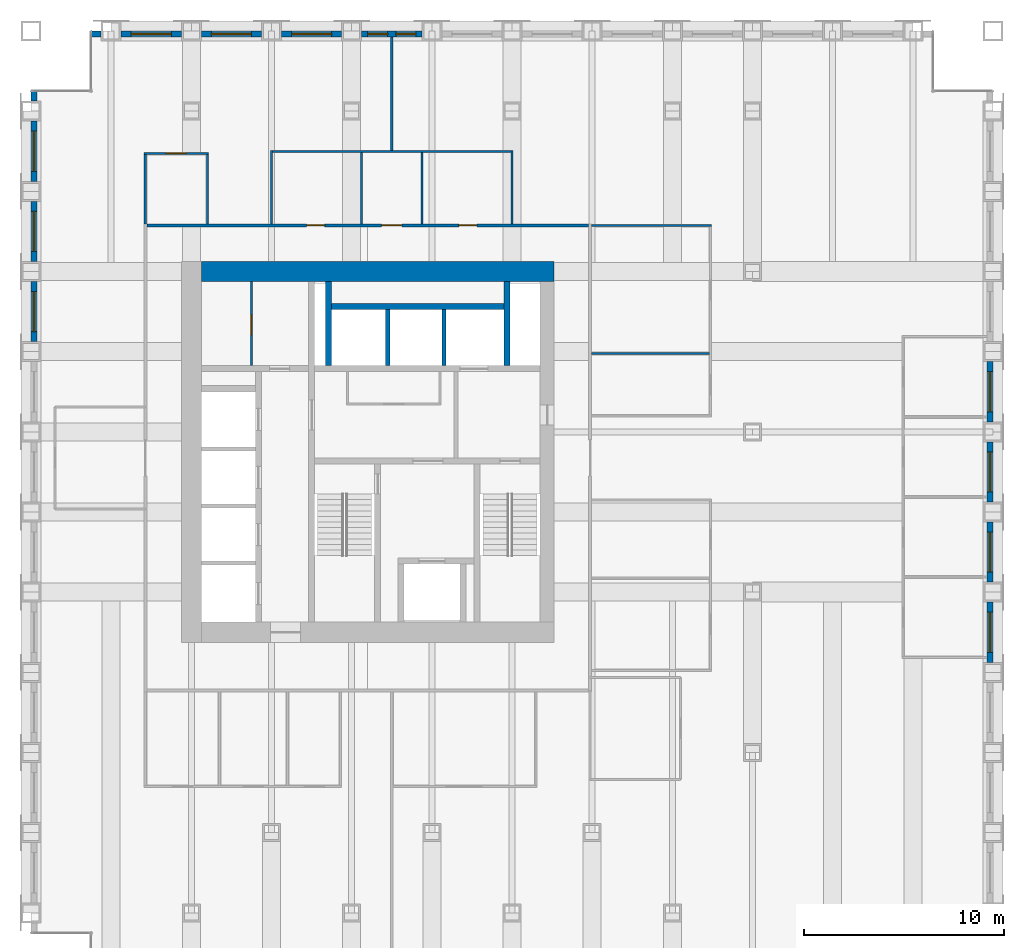
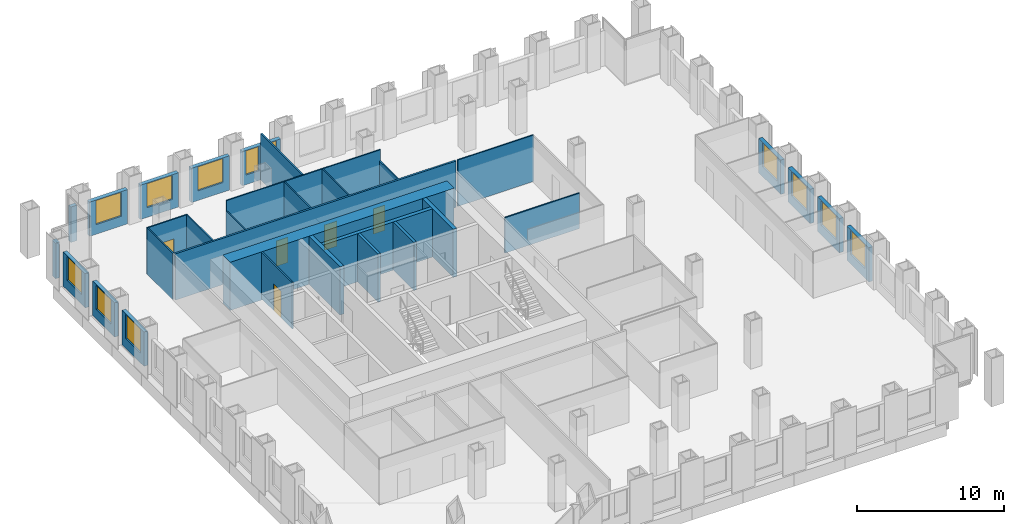
# One storey, part 13 of 16: 32 walls, 12 windows, 5 doors, 17 openings.
"""IFC4 building model written with IfcOpenShell, lengths in metres."""

from ifc_helpers import new_model, si_unit, direction, frame, frame_2d, origin, place, context, subcontext, project, spatial, rectangle, extrude, material, layer, layer_set, type_object, element, fill, save


model = new_model("IFC4")

# Units and contexts
model_context = context("Model", 3, precision=1e-05, world=origin(), true_north=direction((0.0, 1.0)))
body_context = subcontext(model_context, "Body", "Model", "MODEL_VIEW")
ifc_project = project(units=[si_unit("LENGTHUNIT", "METRE"), si_unit("AREAUNIT", "SQUARE_METRE"), si_unit("VOLUMEUNIT", "CUBIC_METRE"), si_unit("PLANEANGLEUNIT", "RADIAN"), si_unit("MASSUNIT", "GRAM", prefix="KILO")], contexts=[model_context])

# Site, building, storey
site_placement = place(None, origin())
site = spatial("IfcSite", under=ifc_project, at=site_placement, CompositionType="ELEMENT")
building_placement = place(site_placement, origin())
building = spatial("IfcBuilding", under=site, at=building_placement, Name="Rimbunsela Tower", CompositionType="ELEMENT")
storey_placement = place(building_placement, frame((0.0, 0.0, 89.39990234375)))
storey = spatial("IfcBuildingStorey", under=building, at=storey_placement, Name="L21", CompositionType="ELEMENT", Elevation=89.39990234375)

# Walls
ifc_material_1 = material(Name="Concrete fc' 80 MPa", Category="concrete")
ifc_layer_1 = layer(ifc_material_1, 0.300048828125)
ifc_layer_set_1 = layer_set([ifc_layer_1], Name="Core internal wall 300")
wall_type_1 = type_object("IfcWallType", Name="Core internal wall 300", PredefinedType="SHEAR", material=ifc_layer_set_1)
for number, where, z_axis, x_axis, name in (
    (1, (24.85009765625, 31.300048828125, -0.14990234375), (0.0, 0.0, 1.0), (0.0, 1.0, 0.0), "Riser wall"),
    (2, (33.75, 31.300048828125, -0.14990234375), (0.0, 0.0, 1.0), (0.0, 1.0, 0.0), "Riser wall"),
):
    element("IfcWall", number, at=place(storey_placement, frame(where, z_axis=z_axis, x_axis=x_axis)), inside=storey, type_object=wall_type_1, Name=name, PredefinedType="SHEAR", context=body_context, shape_type="SweptSolid", body=[
        extrude(rectangle(XDim=4.199951171875, YDim=0.300048828125, at=frame_2d((2.10009765625, 0.0))), origin(), (0.0, 0.0, 1.0), 4.0),
    ])
wall_1_placement = place(storey_placement, frame((25.0, 34.25, -0.14990234375), z_axis=(0.0, 0.0, 1.0), x_axis=(1.0, 0.0, 0.0)))
element("IfcWall", 3, at=wall_1_placement, inside=storey, type_object=wall_type_1, Name="Lift shaft rear north", PredefinedType="SHEAR", context=body_context, shape_type="SweptSolid", body=[
    extrude(rectangle(XDim=8.60009765625, YDim=0.300048828125, at=frame_2d((4.300048828125, 0.0))), origin(), (0.0, 0.0, 1.0), 4.0),
])

# Wall, opening, door
ifc_material_2 = material(Name="Concrete blockwork", Category="masonry")
ifc_layer_2 = layer(ifc_material_2, 0.10009765625)
ifc_layer_set_2 = layer_set([ifc_layer_2], Name="Core room partition 100")
wall_type_2 = type_object("IfcWallType", Name="Core room partition 100", PredefinedType="PARTITIONING", material=ifc_layer_set_2)
wall_2_placement = place(storey_placement, frame((21.0, 31.300048828125, 0.0), z_axis=(0.0, 0.0, 1.0), x_axis=(0.0, 1.0, 0.0)))
wall_2 = element("IfcWall", 4, at=wall_2_placement, inside=storey, type_object=wall_type_2, Name="Housekeeping store wall", PredefinedType="PARTITIONING", context=body_context, shape_type="SweptSolid", body=[
    extrude(rectangle(XDim=4.199951171875, YDim=0.10009765625, at=frame_2d((2.10009765625, 0.0))), origin(), (0.0, 0.0, 1.0), 3.85009765625),
])
opening_1_placement = place(wall_2_placement, frame((1.550048828125, 0.0, 0.0)))
opening_1 = element("IfcOpeningElement", 5, at=opening_1_placement, cuts=wall_2, Name="Opening D19", PredefinedType="OPENING", context=body_context, shape_type="SweptSolid", body=[
    extrude(rectangle(XDim=1.0, YDim=2.199951171875, at=frame_2d((0.5, 1.10009765625))), frame((0.0, 0.06005859375, 0.0), z_axis=(0.0, -1.0, 0.0), x_axis=(1.0, 0.0, 0.0)), (0.0, 0.0, 1.0), 0.1201171875),
])
ifc_material_3 = material(Name="Steel door, fire rated", Category="steel")
door_type_1 = type_object("IfcDoorType", Name="Service door 1000 fire rated", OperationType="SINGLE_SWING_LEFT", PredefinedType="DOOR", material=ifc_material_3)
door_1_placement = place(opening_1_placement, origin())
door_1 = element("IfcDoor", 6, at=door_1_placement, inside=storey, type_object=door_type_1, Name="Housekeeping store door", OperationType="SINGLE_SWING_LEFT", OverallHeight=2.199951171875, OverallWidth=1.0, PredefinedType="DOOR", context=body_context, shape_type="SweptSolid", body=[
    extrude(rectangle(XDim=1.0, YDim=2.199951171875, at=frame_2d((0.5, 1.10009765625))), frame((0.0, 0.02490234375, 0.0), z_axis=(0.0, -1.0, 0.0), x_axis=(1.0, 0.0, 0.0)), (0.0, 0.0, 1.0), 0.050048828125),
])
fill(opening_1, door_1)

# Walls
ifc_material_4 = material(Name="Concrete fc' 80 MPa", Category="concrete")
ifc_layer_3 = layer(ifc_material_4, 1.0)
ifc_layer_set_3 = layer_set([ifc_layer_3], Name="Core wall 1000")
wall_type_3 = type_object("IfcWallType", Name="Core wall 1000", PredefinedType="SHEAR", material=ifc_layer_set_3)
wall_3_placement = place(storey_placement, frame((18.5, 36.0, -0.14990234375), z_axis=(0.0, 0.0, 1.0), x_axis=(1.0, 0.0, 0.0)))
element("IfcWall", 7, at=wall_3_placement, inside=storey, type_object=wall_type_3, Name="Core wall north", PredefinedType="SHEAR", context=body_context, shape_type="SweptSolid", body=[
    extrude(rectangle(XDim=17.60009765625, YDim=1.0, at=frame_2d((8.800048828125, 0.0))), origin(), (0.0, 0.0, 1.0), 4.0),
])
ifc_material_5 = material(Name="Concrete blockwork", Category="masonry")
ifc_layer_4 = layer(ifc_material_5, 0.199951171875)
ifc_layer_set_4 = layer_set([ifc_layer_4], Name="Lift shaft wall 200")
wall_type_4 = type_object("IfcWallType", Name="Lift shaft wall 200", PredefinedType="SOLIDWALL", material=ifc_layer_set_4)
for number, where, z_axis, x_axis, name in (
    (8, (27.800048828125, 31.300048828125, -0.14990234375), (0.0, 0.0, 1.0), (0.0, 1.0, 0.0), "Lift shaft separation"),
    (9, (30.60009765625, 31.300048828125, -0.14990234375), (0.0, 0.0, 1.0), (0.0, 1.0, 0.0), "Lift shaft separation"),
):
    element("IfcWall", number, at=place(storey_placement, frame(where, z_axis=z_axis, x_axis=x_axis)), inside=storey, type_object=wall_type_4, Name=name, PredefinedType="SOLIDWALL", context=body_context, shape_type="SweptSolid", body=[
        extrude(rectangle(XDim=2.800048828125, YDim=0.199951171875, at=frame_2d((1.39990234375, 0.0))), origin(), (0.0, 0.0, 1.0), 4.0),
    ])
ifc_material_6 = material(Name="Gypsum board on steel studs", Category="steel")
ifc_layer_5 = layer(ifc_material_6, 0.10009765625)
ifc_layer_set_5 = layer_set([ifc_layer_5], Name="Office partition 100")
wall_type_5 = type_object("IfcWallType", Name="Office partition 100", PredefinedType="PARTITIONING", material=ifc_layer_set_5)
wall_4_placement = place(storey_placement, frame((37.97509765625, 31.89990234375, 0.0), z_axis=(0.0, 0.0, 1.0), x_axis=(1.0, 0.0, 0.0)))
element("IfcWall", 10, at=wall_4_placement, inside=storey, type_object=wall_type_5, Name="Office partition", PredefinedType="PARTITIONING", context=body_context, shape_type="SweptSolid", body=[
    extrude(rectangle(XDim=5.875, YDim=0.10009765625, at=frame_2d((2.9375, 0.0))), origin(), (0.0, 0.0, 1.0), 2.9501953125),
])
wall_5_placement = place(storey_placement, frame((37.97509765625, 38.300048828125, 0.0), z_axis=(0.0, 0.0, 1.0), x_axis=(1.0, 0.0, 0.0)))
element("IfcWall", 11, at=wall_5_placement, inside=storey, type_object=wall_type_5, Name="Office partition", PredefinedType="PARTITIONING", context=body_context, shape_type="SweptSolid", body=[
    extrude(rectangle(XDim=5.974853515625, YDim=0.10009765625, at=frame_2d((2.9873046875, 0.0))), origin(), (0.0, 0.0, 1.0), 3.85009765625),
])

# Wall, opening, door
wall_6_placement = place(storey_placement, frame((15.64990234375, 41.89990234375, 0.0), z_axis=(0.0, 0.0, 1.0), x_axis=(1.0, 0.0, 0.0)))
wall_6 = element("IfcWall", 12, at=wall_6_placement, inside=storey, type_object=wall_type_5, Name="Office partition", PredefinedType="PARTITIONING", context=body_context, shape_type="SweptSolid", body=[
    extrude(rectangle(XDim=3.2001953125, YDim=0.10009765625, at=frame_2d((1.60009765625, 0.0))), origin(), (0.0, 0.0, 1.0), 3.85009765625),
])
opening_2_placement = place(wall_6_placement, frame((1.10009765625, 0.0, 0.0)))
opening_2 = element("IfcOpeningElement", 13, at=opening_2_placement, cuts=wall_6, Name="Opening D16", PredefinedType="OPENING", context=body_context, shape_type="SweptSolid", body=[
    extrude(rectangle(XDim=1.0, YDim=2.199951171875, at=frame_2d((0.5, 1.10009765625))), frame((0.0, 0.06005859375, 0.0), z_axis=(0.0, -1.0, 0.0), x_axis=(1.0, 0.0, 0.0)), (0.0, 0.0, 1.0), 0.1201171875),
])
ifc_material_7 = material(Name="Timber door", Category="wood")
door_type_2 = type_object("IfcDoorType", Name="Office door 1000", OperationType="SINGLE_SWING_LEFT", PredefinedType="DOOR", material=ifc_material_7)
door_2_placement = place(opening_2_placement, origin())
door_2 = element("IfcDoor", 14, at=door_2_placement, inside=storey, type_object=door_type_2, Name="Office door", OperationType="SINGLE_SWING_LEFT", OverallHeight=2.199951171875, OverallWidth=1.0, PredefinedType="DOOR", context=body_context, shape_type="SweptSolid", body=[
    extrude(rectangle(XDim=1.0, YDim=2.199951171875, at=frame_2d((0.5, 1.10009765625))), frame((0.0, 0.02490234375, 0.0), z_axis=(0.0, -1.0, 0.0), x_axis=(1.0, 0.0, 0.0)), (0.0, 0.0, 1.0), 0.050048828125),
])
fill(opening_2, door_2)

# Walls
for number, where, z_axis, x_axis, name in (
    (15, (15.699951171875, 38.375, 0.0), (0.0, 0.0, 1.0), (0.0, 1.0, 0.0), "Office partition"),
    (16, (18.800048828125, 38.375, 0.0), (0.0, 0.0, 1.0), (0.0, 1.0, 0.0), "Office partition"),
):
    element("IfcWall", number, at=place(storey_placement, frame(where, z_axis=z_axis, x_axis=x_axis)), inside=storey, type_object=wall_type_5, Name=name, PredefinedType="PARTITIONING", context=body_context, shape_type="SweptSolid", body=[
        extrude(rectangle(XDim=3.47509765625, YDim=0.10009765625, at=frame_2d((1.737548828125, 0.0))), origin(), (0.0, 0.0, 1.0), 3.85009765625),
    ])

# Wall, opening, window
ifc_material_8 = material(Name="Precast concrete fc' 35 MPa", Category="concrete")
ifc_layer_6 = layer(ifc_material_8, 0.300048828125)
ifc_layer_set_6 = layer_set([ifc_layer_6], Name="Precast concrete fc' 35 MPa")
wall_type_6 = type_object("IfcWallType", Name="Precast facade panel 300", PredefinedType="ELEMENTEDWALL", material=ifc_layer_set_6)
wall_7_placement = place(storey_placement, frame((57.85009765625, 16.5, 0.0), z_axis=(0.0, 0.0, 1.0), x_axis=(0.0, 1.0, 0.0)))
wall_7 = element("IfcWall", 17, at=wall_7_placement, inside=storey, type_object=wall_type_6, Name="Facade panel E L21", PredefinedType="ELEMENTEDWALL", context=body_context, shape_type="SweptSolid", body=[
    extrude(rectangle(XDim=3.0, YDim=0.300048828125, at=frame_2d((1.5, 0.0))), origin(), (0.0, 0.0, 1.0), 2.85009765625),
])
opening_3_placement = place(wall_7_placement, frame((0.5, 0.0, 0.800048828125)))
opening_3 = element("IfcOpeningElement", 18, at=opening_3_placement, cuts=wall_7, Name="Opening W1", PredefinedType="OPENING", context=body_context, shape_type="SweptSolid", body=[
    extrude(rectangle(XDim=2.0, YDim=2.0, at=frame_2d((1.0, 1.0))), frame((0.0, 0.159912109375, 0.0), z_axis=(0.0, -1.0, 0.0), x_axis=(1.0, 0.0, 0.0)), (0.0, 0.0, 1.0), 0.320068359375),
])
ifc_material_9 = material(Name="Clear glass in aluminium frame", Category="aluminium")
window_type_1 = type_object("IfcWindowType", Name="Window W1 2000x2000", PartitioningType="DOUBLE_PANEL_VERTICAL", PredefinedType="WINDOW", material=ifc_material_9)
window_1_placement = place(opening_3_placement, origin())
window_1 = element("IfcWindow", 19, at=window_1_placement, inside=storey, type_object=window_type_1, Name="Window L21", OverallHeight=2.0, OverallWidth=2.0, PartitioningType="SINGLE_PANEL", PredefinedType="WINDOW", context=body_context, shape_type="SweptSolid", body=[
    extrude(rectangle(XDim=2.0, YDim=2.0, at=frame_2d((1.0, 1.0))), frame((0.0, 0.030029296875, 0.0), z_axis=(0.0, -1.0, 0.0), x_axis=(1.0, 0.0, 0.0)), (0.0, 0.0, 1.0), 0.06005859375),
])
fill(opening_3, window_1)

wall_8_placement = place(storey_placement, frame((57.85009765625, 20.5, 0.0), z_axis=(0.0, 0.0, 1.0), x_axis=(0.0, 1.0, 0.0)))
wall_8 = element("IfcWall", 20, at=wall_8_placement, inside=storey, type_object=wall_type_6, Name="Facade panel E L21", PredefinedType="ELEMENTEDWALL", context=body_context, shape_type="SweptSolid", body=[
    extrude(rectangle(XDim=3.0, YDim=0.300048828125, at=frame_2d((1.5, 0.0))), origin(), (0.0, 0.0, 1.0), 2.85009765625),
])
opening_4_placement = place(wall_8_placement, frame((0.5, 0.0, 0.800048828125)))
opening_4 = element("IfcOpeningElement", 21, at=opening_4_placement, cuts=wall_8, Name="Opening W1", PredefinedType="OPENING", context=body_context, shape_type="SweptSolid", body=[
    extrude(rectangle(XDim=2.0, YDim=2.0, at=frame_2d((1.0, 1.0))), frame((0.0, 0.159912109375, 0.0), z_axis=(0.0, -1.0, 0.0), x_axis=(1.0, 0.0, 0.0)), (0.0, 0.0, 1.0), 0.320068359375),
])
window_2_placement = place(opening_4_placement, origin())
window_2 = element("IfcWindow", 22, at=window_2_placement, inside=storey, type_object=window_type_1, Name="Window L21", OverallHeight=2.0, OverallWidth=2.0, PartitioningType="SINGLE_PANEL", PredefinedType="WINDOW", context=body_context, shape_type="SweptSolid", body=[
    extrude(rectangle(XDim=2.0, YDim=2.0, at=frame_2d((1.0, 1.0))), frame((0.0, 0.030029296875, 0.0), z_axis=(0.0, -1.0, 0.0), x_axis=(1.0, 0.0, 0.0)), (0.0, 0.0, 1.0), 0.06005859375),
])
fill(opening_4, window_2)

wall_9_placement = place(storey_placement, frame((57.85009765625, 24.5, 0.0), z_axis=(0.0, 0.0, 1.0), x_axis=(0.0, 1.0, 0.0)))
wall_9 = element("IfcWall", 23, at=wall_9_placement, inside=storey, type_object=wall_type_6, Name="Facade panel E L21", PredefinedType="ELEMENTEDWALL", context=body_context, shape_type="SweptSolid", body=[
    extrude(rectangle(XDim=3.0, YDim=0.300048828125, at=frame_2d((1.5, 0.0))), origin(), (0.0, 0.0, 1.0), 2.85009765625),
])
opening_5_placement = place(wall_9_placement, frame((0.5, 0.0, 0.800048828125)))
opening_5 = element("IfcOpeningElement", 24, at=opening_5_placement, cuts=wall_9, Name="Opening W1", PredefinedType="OPENING", context=body_context, shape_type="SweptSolid", body=[
    extrude(rectangle(XDim=2.0, YDim=2.0, at=frame_2d((1.0, 1.0))), frame((0.0, 0.159912109375, 0.0), z_axis=(0.0, -1.0, 0.0), x_axis=(1.0, 0.0, 0.0)), (0.0, 0.0, 1.0), 0.320068359375),
])
window_3_placement = place(opening_5_placement, origin())
window_3 = element("IfcWindow", 25, at=window_3_placement, inside=storey, type_object=window_type_1, Name="Window L21", OverallHeight=2.0, OverallWidth=2.0, PartitioningType="SINGLE_PANEL", PredefinedType="WINDOW", context=body_context, shape_type="SweptSolid", body=[
    extrude(rectangle(XDim=2.0, YDim=2.0, at=frame_2d((1.0, 1.0))), frame((0.0, 0.030029296875, 0.0), z_axis=(0.0, -1.0, 0.0), x_axis=(1.0, 0.0, 0.0)), (0.0, 0.0, 1.0), 0.06005859375),
])
fill(opening_5, window_3)

wall_10_placement = place(storey_placement, frame((57.85009765625, 28.5, 0.0), z_axis=(0.0, 0.0, 1.0), x_axis=(0.0, 1.0, 0.0)))
wall_10 = element("IfcWall", 26, at=wall_10_placement, inside=storey, type_object=wall_type_6, Name="Facade panel E L21", PredefinedType="ELEMENTEDWALL", context=body_context, shape_type="SweptSolid", body=[
    extrude(rectangle(XDim=3.0, YDim=0.300048828125, at=frame_2d((1.5, 0.0))), origin(), (0.0, 0.0, 1.0), 2.85009765625),
])
opening_6_placement = place(wall_10_placement, frame((0.5, 0.0, 0.800048828125)))
opening_6 = element("IfcOpeningElement", 27, at=opening_6_placement, cuts=wall_10, Name="Opening W1", PredefinedType="OPENING", context=body_context, shape_type="SweptSolid", body=[
    extrude(rectangle(XDim=2.0, YDim=2.0, at=frame_2d((1.0, 1.0))), frame((0.0, 0.159912109375, 0.0), z_axis=(0.0, -1.0, 0.0), x_axis=(1.0, 0.0, 0.0)), (0.0, 0.0, 1.0), 0.320068359375),
])
window_4_placement = place(opening_6_placement, origin())
window_4 = element("IfcWindow", 28, at=window_4_placement, inside=storey, type_object=window_type_1, Name="Window L21", OverallHeight=2.0, OverallWidth=2.0, PartitioningType="SINGLE_PANEL", PredefinedType="WINDOW", context=body_context, shape_type="SweptSolid", body=[
    extrude(rectangle(XDim=2.0, YDim=2.0, at=frame_2d((1.0, 1.0))), frame((0.0, 0.030029296875, 0.0), z_axis=(0.0, -1.0, 0.0), x_axis=(1.0, 0.0, 0.0)), (0.0, 0.0, 1.0), 0.06005859375),
])
fill(opening_6, window_4)

# Wall
wall_11_placement = place(storey_placement, frame((13.5, 47.85009765625, 0.0), z_axis=(0.0, 0.0, 1.0), x_axis=(-1.0, 0.0, 0.0)))
element("IfcWall", 29, at=wall_11_placement, inside=storey, type_object=wall_type_6, Name="Facade panel N L21", PredefinedType="ELEMENTEDWALL", context=body_context, shape_type="SweptSolid", body=[
    extrude(rectangle(XDim=0.469970703125, YDim=0.300048828125, at=frame_2d((0.23486328125, 0.0))), origin(), (0.0, 0.0, 1.0), 2.9501953125),
])

# Wall, opening, window
wall_12_placement = place(storey_placement, frame((17.5, 47.85009765625, 0.0), z_axis=(0.0, 0.0, 1.0), x_axis=(-1.0, 0.0, 0.0)))
wall_12 = element("IfcWall", 30, at=wall_12_placement, inside=storey, type_object=wall_type_6, Name="Facade panel N L21", PredefinedType="ELEMENTEDWALL", context=body_context, shape_type="SweptSolid", body=[
    extrude(rectangle(XDim=3.0, YDim=0.300048828125, at=frame_2d((1.5, 0.0))), origin(), (0.0, 0.0, 1.0), 2.85009765625),
])
opening_7_placement = place(wall_12_placement, frame((0.5, 0.0, 0.800048828125)))
opening_7 = element("IfcOpeningElement", 31, at=opening_7_placement, cuts=wall_12, Name="Opening W1", PredefinedType="OPENING", context=body_context, shape_type="SweptSolid", body=[
    extrude(rectangle(XDim=2.0, YDim=2.0, at=frame_2d((1.0, 1.0))), frame((0.0, 0.159912109375, 0.0), z_axis=(0.0, -1.0, 0.0), x_axis=(1.0, 0.0, 0.0)), (0.0, 0.0, 1.0), 0.320068359375),
])
window_5_placement = place(opening_7_placement, origin())
window_5 = element("IfcWindow", 32, at=window_5_placement, inside=storey, type_object=window_type_1, Name="Window L21", OverallHeight=2.0, OverallWidth=2.0, PartitioningType="SINGLE_PANEL", PredefinedType="WINDOW", context=body_context, shape_type="SweptSolid", body=[
    extrude(rectangle(XDim=2.0, YDim=2.0, at=frame_2d((1.0, 1.0))), frame((0.0, 0.030029296875, 0.0), z_axis=(0.0, -1.0, 0.0), x_axis=(1.0, 0.0, 0.0)), (0.0, 0.0, 1.0), 0.06005859375),
])
fill(opening_7, window_5)

wall_13_placement = place(storey_placement, frame((21.5, 47.85009765625, 0.0), z_axis=(0.0, 0.0, 1.0), x_axis=(-1.0, 0.0, 0.0)))
wall_13 = element("IfcWall", 33, at=wall_13_placement, inside=storey, type_object=wall_type_6, Name="Facade panel N L21", PredefinedType="ELEMENTEDWALL", context=body_context, shape_type="SweptSolid", body=[
    extrude(rectangle(XDim=3.0, YDim=0.300048828125, at=frame_2d((1.5, 0.0))), origin(), (0.0, 0.0, 1.0), 2.85009765625),
])
opening_8_placement = place(wall_13_placement, frame((0.5, 0.0, 0.800048828125)))
opening_8 = element("IfcOpeningElement", 34, at=opening_8_placement, cuts=wall_13, Name="Opening W1", PredefinedType="OPENING", context=body_context, shape_type="SweptSolid", body=[
    extrude(rectangle(XDim=2.0, YDim=2.0, at=frame_2d((1.0, 1.0))), frame((0.0, 0.159912109375, 0.0), z_axis=(0.0, -1.0, 0.0), x_axis=(1.0, 0.0, 0.0)), (0.0, 0.0, 1.0), 0.320068359375),
])
window_6_placement = place(opening_8_placement, origin())
window_6 = element("IfcWindow", 35, at=window_6_placement, inside=storey, type_object=window_type_1, Name="Window L21", OverallHeight=2.0, OverallWidth=2.0, PartitioningType="SINGLE_PANEL", PredefinedType="WINDOW", context=body_context, shape_type="SweptSolid", body=[
    extrude(rectangle(XDim=2.0, YDim=2.0, at=frame_2d((1.0, 1.0))), frame((0.0, 0.030029296875, 0.0), z_axis=(0.0, -1.0, 0.0), x_axis=(1.0, 0.0, 0.0)), (0.0, 0.0, 1.0), 0.06005859375),
])
fill(opening_8, window_6)

wall_14_placement = place(storey_placement, frame((25.5, 47.85009765625, 0.0), z_axis=(0.0, 0.0, 1.0), x_axis=(-1.0, 0.0, 0.0)))
wall_14 = element("IfcWall", 36, at=wall_14_placement, inside=storey, type_object=wall_type_6, Name="Facade panel N L21", PredefinedType="ELEMENTEDWALL", context=body_context, shape_type="SweptSolid", body=[
    extrude(rectangle(XDim=3.0, YDim=0.300048828125, at=frame_2d((1.5, 0.0))), origin(), (0.0, 0.0, 1.0), 2.85009765625),
])
opening_9_placement = place(wall_14_placement, frame((0.5, 0.0, 0.800048828125)))
opening_9 = element("IfcOpeningElement", 37, at=opening_9_placement, cuts=wall_14, Name="Opening W1", PredefinedType="OPENING", context=body_context, shape_type="SweptSolid", body=[
    extrude(rectangle(XDim=2.0, YDim=2.0, at=frame_2d((1.0, 1.0))), frame((0.0, 0.159912109375, 0.0), z_axis=(0.0, -1.0, 0.0), x_axis=(1.0, 0.0, 0.0)), (0.0, 0.0, 1.0), 0.320068359375),
])
window_7_placement = place(opening_9_placement, origin())
window_7 = element("IfcWindow", 38, at=window_7_placement, inside=storey, type_object=window_type_1, Name="Window L21", OverallHeight=2.0, OverallWidth=2.0, PartitioningType="SINGLE_PANEL", PredefinedType="WINDOW", context=body_context, shape_type="SweptSolid", body=[
    extrude(rectangle(XDim=2.0, YDim=2.0, at=frame_2d((1.0, 1.0))), frame((0.0, 0.030029296875, 0.0), z_axis=(0.0, -1.0, 0.0), x_axis=(1.0, 0.0, 0.0)), (0.0, 0.0, 1.0), 0.06005859375),
])
fill(opening_9, window_7)

# Wall, openings, windows
wall_15_placement = place(storey_placement, frame((29.5, 47.85009765625, 0.0), z_axis=(0.0, 0.0, 1.0), x_axis=(-1.0, 0.0, 0.0)))
wall_15 = element("IfcWall", 39, at=wall_15_placement, inside=storey, type_object=wall_type_6, Name="Facade panel N L21", PredefinedType="ELEMENTEDWALL", context=body_context, shape_type="SweptSolid", body=[
    extrude(rectangle(XDim=3.0, YDim=0.300048828125, at=frame_2d((1.5, 0.0))), origin(), (0.0, 0.0, 1.0), 2.85009765625),
])
opening_10_placement = place(wall_15_placement, frame((1.699951171875, 0.0, 0.800048828125)))
opening_10 = element("IfcOpeningElement", 40, at=opening_10_placement, cuts=wall_15, Name="Opening W5", PredefinedType="OPENING", context=body_context, shape_type="SweptSolid", body=[
    extrude(rectangle(XDim=1.0, YDim=2.0, at=frame_2d((0.5, 1.0))), frame((0.0, 0.159912109375, 0.0), z_axis=(0.0, -1.0, 0.0), x_axis=(1.0, 0.0, 0.0)), (0.0, 0.0, 1.0), 0.320068359375),
])
opening_11_placement = place(wall_15_placement, frame((0.300048828125, 0.0, 0.800048828125)))
opening_11 = element("IfcOpeningElement", 41, at=opening_11_placement, cuts=wall_15, Name="Opening W5", PredefinedType="OPENING", context=body_context, shape_type="SweptSolid", body=[
    extrude(rectangle(XDim=1.0, YDim=2.0, at=frame_2d((0.5, 1.0))), frame((0.0, 0.159912109375, 0.0), z_axis=(0.0, -1.0, 0.0), x_axis=(1.0, 0.0, 0.0)), (0.0, 0.0, 1.0), 0.320068359375),
])
ifc_material_10 = material(Name="Clear glass in aluminium frame", Category="aluminium")
window_type_2 = type_object("IfcWindowType", Name="Window W5 1000x2000", PartitioningType="SINGLE_PANEL", PredefinedType="WINDOW", material=ifc_material_10)
window_8_placement = place(opening_10_placement, origin())
window_8 = element("IfcWindow", 42, at=window_8_placement, inside=storey, type_object=window_type_2, Name="Window L21", OverallHeight=2.0, OverallWidth=1.0, PartitioningType="SINGLE_PANEL", PredefinedType="WINDOW", context=body_context, shape_type="SweptSolid", body=[
    extrude(rectangle(XDim=1.0, YDim=2.0, at=frame_2d((0.5, 1.0))), frame((0.0, 0.030029296875, 0.0), z_axis=(0.0, -1.0, 0.0), x_axis=(1.0, 0.0, 0.0)), (0.0, 0.0, 1.0), 0.06005859375),
])
fill(opening_10, window_8)
window_9_placement = place(opening_11_placement, origin())
window_9 = element("IfcWindow", 43, at=window_9_placement, inside=storey, type_object=window_type_2, Name="Window L21", OverallHeight=2.0, OverallWidth=1.0, PartitioningType="SINGLE_PANEL", PredefinedType="WINDOW", context=body_context, shape_type="SweptSolid", body=[
    extrude(rectangle(XDim=1.0, YDim=2.0, at=frame_2d((0.5, 1.0))), frame((0.0, 0.030029296875, 0.0), z_axis=(0.0, -1.0, 0.0), x_axis=(1.0, 0.0, 0.0)), (0.0, 0.0, 1.0), 0.06005859375),
])
fill(opening_11, window_9)

# Wall, opening, window
wall_16_placement = place(storey_placement, frame((10.14990234375, 35.5, 0.0), z_axis=(0.0, 0.0, 1.0), x_axis=(0.0, -1.0, 0.0)))
wall_16 = element("IfcWall", 44, at=wall_16_placement, inside=storey, type_object=wall_type_6, Name="Facade panel W L21", PredefinedType="ELEMENTEDWALL", context=body_context, shape_type="SweptSolid", body=[
    extrude(rectangle(XDim=3.0, YDim=0.300048828125, at=frame_2d((1.5, 0.0))), origin(), (0.0, 0.0, 1.0), 2.85009765625),
])
opening_12_placement = place(wall_16_placement, frame((0.5, 0.0, 0.800048828125)))
opening_12 = element("IfcOpeningElement", 45, at=opening_12_placement, cuts=wall_16, Name="Opening W1", PredefinedType="OPENING", context=body_context, shape_type="SweptSolid", body=[
    extrude(rectangle(XDim=2.0, YDim=2.0, at=frame_2d((1.0, 1.0))), frame((0.0, 0.159912109375, 0.0), z_axis=(0.0, -1.0, 0.0), x_axis=(1.0, 0.0, 0.0)), (0.0, 0.0, 1.0), 0.320068359375),
])
window_10_placement = place(opening_12_placement, origin())
window_10 = element("IfcWindow", 46, at=window_10_placement, inside=storey, type_object=window_type_1, Name="Window L21", OverallHeight=2.0, OverallWidth=2.0, PartitioningType="SINGLE_PANEL", PredefinedType="WINDOW", context=body_context, shape_type="SweptSolid", body=[
    extrude(rectangle(XDim=2.0, YDim=2.0, at=frame_2d((1.0, 1.0))), frame((0.0, 0.030029296875, 0.0), z_axis=(0.0, -1.0, 0.0), x_axis=(1.0, 0.0, 0.0)), (0.0, 0.0, 1.0), 0.06005859375),
])
fill(opening_12, window_10)

wall_17_placement = place(storey_placement, frame((10.14990234375, 39.5, 0.0), z_axis=(0.0, 0.0, 1.0), x_axis=(0.0, -1.0, 0.0)))
wall_17 = element("IfcWall", 47, at=wall_17_placement, inside=storey, type_object=wall_type_6, Name="Facade panel W L21", PredefinedType="ELEMENTEDWALL", context=body_context, shape_type="SweptSolid", body=[
    extrude(rectangle(XDim=3.0, YDim=0.300048828125, at=frame_2d((1.5, 0.0))), origin(), (0.0, 0.0, 1.0), 2.85009765625),
])
opening_13_placement = place(wall_17_placement, frame((0.5, 0.0, 0.800048828125)))
opening_13 = element("IfcOpeningElement", 48, at=opening_13_placement, cuts=wall_17, Name="Opening W1", PredefinedType="OPENING", context=body_context, shape_type="SweptSolid", body=[
    extrude(rectangle(XDim=2.0, YDim=2.0, at=frame_2d((1.0, 1.0))), frame((0.0, 0.159912109375, 0.0), z_axis=(0.0, -1.0, 0.0), x_axis=(1.0, 0.0, 0.0)), (0.0, 0.0, 1.0), 0.320068359375),
])
window_11_placement = place(opening_13_placement, origin())
window_11 = element("IfcWindow", 49, at=window_11_placement, inside=storey, type_object=window_type_1, Name="Window L21", OverallHeight=2.0, OverallWidth=2.0, PartitioningType="SINGLE_PANEL", PredefinedType="WINDOW", context=body_context, shape_type="SweptSolid", body=[
    extrude(rectangle(XDim=2.0, YDim=2.0, at=frame_2d((1.0, 1.0))), frame((0.0, 0.030029296875, 0.0), z_axis=(0.0, -1.0, 0.0), x_axis=(1.0, 0.0, 0.0)), (0.0, 0.0, 1.0), 0.06005859375),
])
fill(opening_13, window_11)

wall_18_placement = place(storey_placement, frame((10.14990234375, 43.5, 0.0), z_axis=(0.0, 0.0, 1.0), x_axis=(0.0, -1.0, 0.0)))
wall_18 = element("IfcWall", 50, at=wall_18_placement, inside=storey, type_object=wall_type_6, Name="Facade panel W L21", PredefinedType="ELEMENTEDWALL", context=body_context, shape_type="SweptSolid", body=[
    extrude(rectangle(XDim=3.0, YDim=0.300048828125, at=frame_2d((1.5, 0.0))), origin(), (0.0, 0.0, 1.0), 2.85009765625),
])
opening_14_placement = place(wall_18_placement, frame((0.5, 0.0, 0.800048828125)))
opening_14 = element("IfcOpeningElement", 51, at=opening_14_placement, cuts=wall_18, Name="Opening W1", PredefinedType="OPENING", context=body_context, shape_type="SweptSolid", body=[
    extrude(rectangle(XDim=2.0, YDim=2.0, at=frame_2d((1.0, 1.0))), frame((0.0, 0.159912109375, 0.0), z_axis=(0.0, -1.0, 0.0), x_axis=(1.0, 0.0, 0.0)), (0.0, 0.0, 1.0), 0.320068359375),
])
window_12_placement = place(opening_14_placement, origin())
window_12 = element("IfcWindow", 52, at=window_12_placement, inside=storey, type_object=window_type_1, Name="Window L21", OverallHeight=2.0, OverallWidth=2.0, PartitioningType="SINGLE_PANEL", PredefinedType="WINDOW", context=body_context, shape_type="SweptSolid", body=[
    extrude(rectangle(XDim=2.0, YDim=2.0, at=frame_2d((1.0, 1.0))), frame((0.0, 0.030029296875, 0.0), z_axis=(0.0, -1.0, 0.0), x_axis=(1.0, 0.0, 0.0)), (0.0, 0.0, 1.0), 0.06005859375),
])
fill(opening_14, window_12)

# Wall
wall_19_placement = place(storey_placement, frame((10.14990234375, 44.969970703125, 0.0), z_axis=(0.0, 0.0, 1.0), x_axis=(0.0, -1.0, 0.0)))
element("IfcWall", 53, at=wall_19_placement, inside=storey, type_object=wall_type_6, Name="Facade panel W L21", PredefinedType="ELEMENTEDWALL", context=body_context, shape_type="SweptSolid", body=[
    extrude(rectangle(XDim=0.469970703125, YDim=0.300048828125, at=frame_2d((0.23486328125, 0.0))), origin(), (0.0, 0.0, 1.0), 2.9501953125),
])

# Wall, openings, doors
ifc_material_11 = material(Name="Fire-rated gypsum board on steel studs, EI 60", Category="steel")
ifc_layer_7 = layer(ifc_material_11, 0.14990234375)
ifc_layer_set_7 = layer_set([ifc_layer_7], Name="Rated corridor wall 150")
wall_type_7 = type_object("IfcWallType", Name="Rated corridor wall 150", PredefinedType="PARTITIONING", material=ifc_layer_set_7)
wall_20_placement = place(storey_placement, frame((15.77490234375, 38.300048828125, 0.0), z_axis=(0.0, 0.0, 1.0), x_axis=(1.0, 0.0, 0.0)))
wall_20 = element("IfcWall", 54, at=wall_20_placement, inside=storey, type_object=wall_type_7, Name="Corridor wall north", PredefinedType="PARTITIONING", context=body_context, shape_type="SweptSolid", body=[
    extrude(rectangle(XDim=22.050048828125, YDim=0.14990234375, at=frame_2d((11.02490234375, 0.0))), origin(), (0.0, 0.0, 1.0), 3.85009765625),
])
opening_15_placement = place(wall_20_placement, frame((7.97509765625, 0.0, 0.0)))
opening_15 = element("IfcOpeningElement", 55, at=opening_15_placement, cuts=wall_20, Name="Opening D04", PredefinedType="OPENING", context=body_context, shape_type="SweptSolid", body=[
    extrude(rectangle(XDim=0.89990234375, YDim=2.10009765625, at=frame_2d((0.449951171875, 1.050048828125))), frame((0.0, 0.0849609375, 0.0), z_axis=(0.0, -1.0, 0.0), x_axis=(1.0, 0.0, 0.0)), (0.0, 0.0, 1.0), 0.169921875),
])
opening_16_placement = place(wall_20_placement, frame((11.72509765625, 0.0, 0.0)))
opening_16 = element("IfcOpeningElement", 56, at=opening_16_placement, cuts=wall_20, Name="Opening D05", PredefinedType="OPENING", context=body_context, shape_type="SweptSolid", body=[
    extrude(rectangle(XDim=1.0, YDim=2.10009765625, at=frame_2d((0.5, 1.050048828125))), frame((0.0, 0.0849609375, 0.0), z_axis=(0.0, -1.0, 0.0), x_axis=(1.0, 0.0, 0.0)), (0.0, 0.0, 1.0), 0.169921875),
])
opening_17_placement = place(wall_20_placement, frame((15.574951171875, 0.0, 0.0)))
opening_17 = element("IfcOpeningElement", 57, at=opening_17_placement, cuts=wall_20, Name="Opening D04", PredefinedType="OPENING", context=body_context, shape_type="SweptSolid", body=[
    extrude(rectangle(XDim=0.89990234375, YDim=2.10009765625, at=frame_2d((0.449951171875, 1.050048828125))), frame((0.0, 0.0849609375, 0.0), z_axis=(0.0, -1.0, 0.0), x_axis=(1.0, 0.0, 0.0)), (0.0, 0.0, 1.0), 0.169921875),
])
ifc_material_12 = material(Name="Timber door", Category="wood")
door_type_3 = type_object("IfcDoorType", Name="Accessible WC door 1000", OperationType="SLIDING_TO_LEFT", PredefinedType="DOOR", material=ifc_material_12)
door_3_placement = place(opening_16_placement, origin())
door_3 = element("IfcDoor", 58, at=door_3_placement, inside=storey, type_object=door_type_3, Name="Accessible WC door", OperationType="SLIDING_TO_LEFT", OverallHeight=2.10009765625, OverallWidth=1.0, PredefinedType="DOOR", context=body_context, shape_type="SweptSolid", body=[
    extrude(rectangle(XDim=1.0, YDim=2.10009765625, at=frame_2d((0.5, 1.050048828125))), frame((0.0, 0.02490234375, 0.0), z_axis=(0.0, -1.0, 0.0), x_axis=(1.0, 0.0, 0.0)), (0.0, 0.0, 1.0), 0.050048828125),
])
fill(opening_16, door_3)
ifc_material_13 = material(Name="Timber door", Category="wood")
door_type_4 = type_object("IfcDoorType", Name="Toilet door 900", OperationType="SINGLE_SWING_LEFT", PredefinedType="DOOR", material=ifc_material_13)
door_4_placement = place(opening_15_placement, origin())
door_4 = element("IfcDoor", 59, at=door_4_placement, inside=storey, type_object=door_type_4, Name="Female WC door", OperationType="SINGLE_SWING_LEFT", OverallHeight=2.10009765625, OverallWidth=0.89990234375, PredefinedType="DOOR", context=body_context, shape_type="SweptSolid", body=[
    extrude(rectangle(XDim=0.89990234375, YDim=2.10009765625, at=frame_2d((0.449951171875, 1.050048828125))), frame((0.0, 0.02490234375, 0.0), z_axis=(0.0, -1.0, 0.0), x_axis=(1.0, 0.0, 0.0)), (0.0, 0.0, 1.0), 0.050048828125),
])
fill(opening_15, door_4)
door_5_placement = place(opening_17_placement, origin())
door_5 = element("IfcDoor", 60, at=door_5_placement, inside=storey, type_object=door_type_4, Name="Male WC door", OperationType="SINGLE_SWING_LEFT", OverallHeight=2.10009765625, OverallWidth=0.89990234375, PredefinedType="DOOR", context=body_context, shape_type="SweptSolid", body=[
    extrude(rectangle(XDim=0.89990234375, YDim=2.10009765625, at=frame_2d((0.449951171875, 1.050048828125))), frame((0.0, 0.02490234375, 0.0), z_axis=(0.0, -1.0, 0.0), x_axis=(1.0, 0.0, 0.0)), (0.0, 0.0, 1.0), 0.050048828125),
])
fill(opening_17, door_5)

# Walls
ifc_material_14 = material(Name="Gypsum board on steel studs", Category="steel")
ifc_layer_8 = layer(ifc_material_14, 0.1201171875)
ifc_layer_set_8 = layer_set([ifc_layer_8], Name="Tenancy partition 120")
wall_type_8 = type_object("IfcWallType", Name="Tenancy partition 120", PredefinedType="PARTITIONING", material=ifc_layer_set_8)
wall_21_placement = place(storey_placement, frame((28.0, 42.050048828125, 0.0), z_axis=(0.0, 0.0, 1.0), x_axis=(0.0, 1.0, 0.0)))
element("IfcWall", 61, at=wall_21_placement, inside=storey, type_object=wall_type_8, Name="Tenancy partition north", PredefinedType="PARTITIONING", context=body_context, shape_type="SweptSolid", body=[
    extrude(rectangle(XDim=5.64990234375, YDim=0.1201171875, at=frame_2d((2.824951171875, 0.0))), origin(), (0.0, 0.0, 1.0), 3.85009765625),
])
ifc_material_15 = material(Name="Concrete blockwork", Category="masonry")
ifc_layer_9 = layer(ifc_material_15, 0.10009765625)
ifc_layer_set_9 = layer_set([ifc_layer_9], Name="Toilet partition 100")
wall_type_9 = type_object("IfcWallType", Name="Toilet partition 100", PredefinedType="PARTITIONING", material=ifc_layer_set_9)
for number, where, z_axis, x_axis, name in (
    (62, (22.0, 38.375, 0.0), (0.0, 0.0, 1.0), (0.0, 1.0, 0.0), "Toilet block wall west"),
    (63, (34.0, 38.375, 0.0), (0.0, 0.0, 1.0), (0.0, 1.0, 0.0), "Toilet block wall east"),
):
    element("IfcWall", number, at=place(storey_placement, frame(where, z_axis=z_axis, x_axis=x_axis)), inside=storey, type_object=wall_type_9, Name=name, PredefinedType="PARTITIONING", context=body_context, shape_type="SweptSolid", body=[
        extrude(rectangle(XDim=3.675048828125, YDim=0.10009765625, at=frame_2d((1.83740234375, 0.0))), origin(), (0.0, 0.0, 1.0), 2.9501953125),
    ])
wall_22_placement = place(storey_placement, frame((21.949951171875, 42.0, 0.0), z_axis=(0.0, 0.0, 1.0), x_axis=(1.0, 0.0, 0.0)))
element("IfcWall", 64, at=wall_22_placement, inside=storey, type_object=wall_type_9, Name="Toilet block wall north", PredefinedType="PARTITIONING", context=body_context, shape_type="SweptSolid", body=[
    extrude(rectangle(XDim=12.10009765625, YDim=0.10009765625, at=frame_2d((6.050048828125, 0.0))), origin(), (0.0, 0.0, 1.0), 3.85009765625),
])
for number, where, z_axis, x_axis, name in (
    (65, (26.5, 38.375, 0.0), (0.0, 0.0, 1.0), (0.0, 1.0, 0.0), "Toilet partition"),
    (66, (29.5, 38.375, 0.0), (0.0, 0.0, 1.0), (0.0, 1.0, 0.0), "Toilet partition"),
):
    element("IfcWall", number, at=place(storey_placement, frame(where, z_axis=z_axis, x_axis=x_axis)), inside=storey, type_object=wall_type_9, Name=name, PredefinedType="PARTITIONING", context=body_context, shape_type="SweptSolid", body=[
        extrude(rectangle(XDim=3.574951171875, YDim=0.10009765625, at=frame_2d((1.78759765625, 0.0))), origin(), (0.0, 0.0, 1.0), 3.85009765625),
    ])

save(model, "model.ifc")
